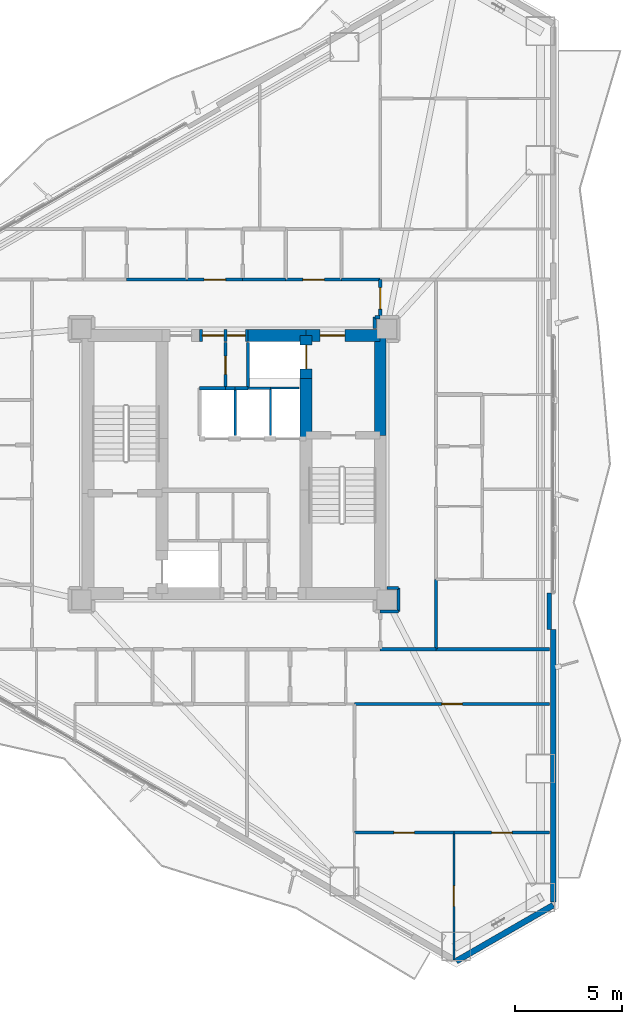
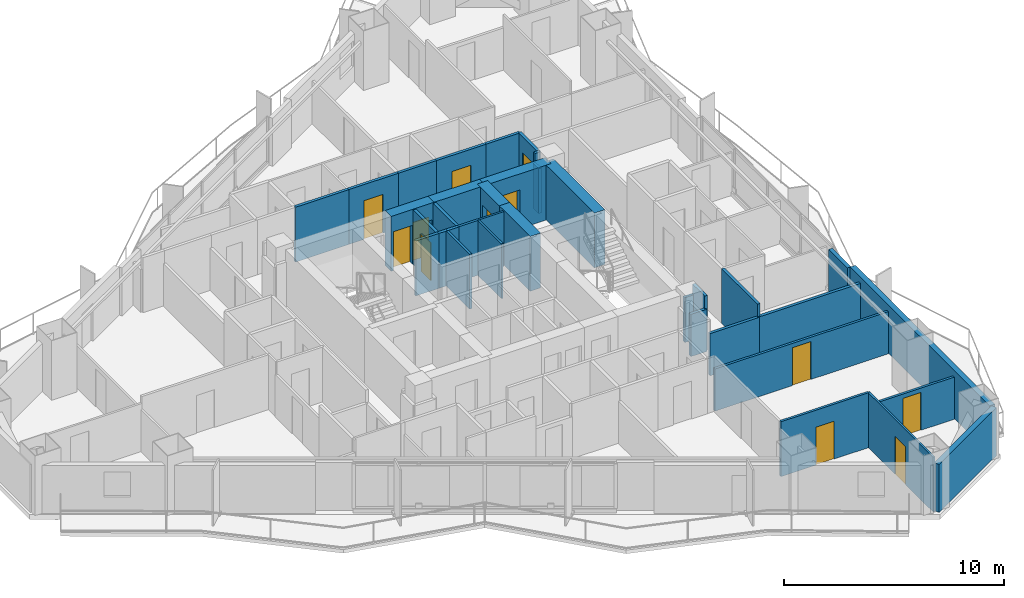
# One storey, part 15 of 19: 36 walls, 12 doors, 12 openings.
"""IFC4 building model written with IfcOpenShell, lengths in metres."""

from ifc_helpers import new_model, si_unit, direction, frame, frame_2d, origin, place, context, subcontext, project, spatial, rectangle, extrude, material, layer, layer_set, type_object, element, fill, save


model = new_model("IFC4")

# Units and contexts
model_context = context("Model", 3, precision=1e-05, world=origin(), true_north=direction((0.0, 1.0)))
body_context = subcontext(model_context, "Body", "Model", "MODEL_VIEW")
ifc_project = project(units=[si_unit("LENGTHUNIT", "METRE"), si_unit("AREAUNIT", "SQUARE_METRE"), si_unit("VOLUMEUNIT", "CUBIC_METRE"), si_unit("PLANEANGLEUNIT", "RADIAN"), si_unit("MASSUNIT", "GRAM", prefix="KILO")], contexts=[model_context])

# Site, building, storey
site_placement = place(None, origin())
site = spatial("IfcSite", under=ifc_project, at=site_placement, CompositionType="ELEMENT")
building_placement = place(site_placement, origin())
building = spatial("IfcBuilding", under=site, at=building_placement, Name="Mersakhor Tower and Convention Hall", CompositionType="ELEMENT")
storey_placement = place(building_placement, frame((0.0, 0.0, 29.10009765625)))
storey = spatial("IfcBuildingStorey", under=building, at=storey_placement, Name="L07", CompositionType="ELEMENT", Elevation=29.10009765625)

# Walls
ifc_material_1 = material(Name="Precast concrete C45/55", Category="concrete")
ifc_layer_1 = layer(ifc_material_1, 0.27490234375)
ifc_layer_set_1 = layer_set([ifc_layer_1], Name="Precast concrete C45/55")
wall_type_1 = type_object("IfcWallType", Name="WL-EXT-275", PredefinedType="SOLIDWALL", material=ifc_layer_set_1)
wall_1_placement = place(storey_placement, frame((43.85009765625, 6.240234375, 0.0), z_axis=(0.0, 0.0, 1.0), x_axis=(-0.866043601342, -0.499968479581, 0.0)))
element("IfcWall", 1, at=wall_1_placement, inside=storey, type_object=wall_type_1, Name="L07 Chamfer Braced Spandrel Wall C2", PredefinedType="SOLIDWALL", context=body_context, shape_type="SweptSolid", body=[
    extrude(rectangle(XDim=5.211181640625, YDim=0.27490234375, at=frame_2d((2.60546875, 0.0))), origin(), (0.0, 0.0, 1.0), 2.659912109375),
])
wall_2_placement = place(storey_placement, frame((43.85009765625, 19.0634765625, 0.0), z_axis=(0.0, 0.0, 1.0), x_axis=(0.0, -1.0, 0.0)))
element("IfcWall", 2, at=wall_2_placement, inside=storey, type_object=wall_type_1, Name="L07 Exterior Facade Wall F2-B3", PredefinedType="SOLIDWALL", context=body_context, shape_type="SweptSolid", body=[
    extrude(rectangle(XDim=12.673095703125, YDim=0.27490234375, at=frame_2d((6.33642578125, 0.0))), origin(), (0.0, 0.0, 1.0), 2.659912109375),
])
ifc_material_2 = material(Name="Precast concrete C40/50", Category="concrete")
ifc_layer_2 = layer(ifc_material_2, 0.199951171875)
ifc_layer_set_2 = layer_set([ifc_layer_2], Name="Precast concrete C40/50")
wall_type_2 = type_object("IfcWallType", Name="WL-PAR-200", PredefinedType="PARAPET", material=ifc_layer_set_2)
wall_3_placement = place(storey_placement, frame((43.669921875, 20.763427734375, 0.0), z_axis=(0.0, 0.0, 1.0), x_axis=(0.0, -1.0, 0.0)))
element("IfcWall", 3, at=wall_3_placement, inside=storey, type_object=wall_type_2, Name="L07 Column Pier Cladding Wall F2-C2", PredefinedType="PARAPET", context=body_context, shape_type="SweptSolid", body=[
    extrude(rectangle(XDim=1.699951171875, YDim=0.199951171875, at=frame_2d((0.85009765625, 0.0))), origin(), (0.0, 0.0, 1.0), 2.659912109375),
])
ifc_material_3 = material(Name="Lightweight gypsum partition", Category="other")
ifc_layer_3 = layer(ifc_material_3, 0.10009765625)
ifc_layer_set_3 = layer_set([ifc_layer_3], Name="Lightweight gypsum partition")
wall_type_3 = type_object("IfcWallType", Name="WL-PRT-100", PredefinedType="PARTITIONING", material=ifc_layer_set_3)
wall_4_placement = place(storey_placement, frame((32.02490234375, 30.300048828125, 0.0), z_axis=(0.0, 0.0, 1.0), x_axis=(-1.0, 0.0, 0.0)))
element("IfcWall", 4, at=wall_4_placement, inside=storey, type_object=wall_type_3, Name="L07 Interior Partition Wall P-004", PredefinedType="PARTITIONING", context=body_context, shape_type="SweptSolid", body=[
    extrude(rectangle(XDim=1.324951171875, YDim=0.10009765625, at=frame_2d((0.66259765625, 0.0))), origin(), (0.0, 0.0, 1.0), 3.039794921875),
])
wall_5_placement = place(storey_placement, frame((30.699951171875, 30.300048828125, 0.0), z_axis=(0.0, 0.0, 1.0), x_axis=(0.0, -1.0, 0.0)))
element("IfcWall", 5, at=wall_5_placement, inside=storey, type_object=wall_type_3, Name="L07 Interior Partition Wall P-018", PredefinedType="PARTITIONING", context=body_context, shape_type="SweptSolid", body=[
    extrude(rectangle(XDim=2.199951171875, YDim=0.10009765625, at=frame_2d((1.10009765625, 0.0))), origin(), (0.0, 0.0, 1.0), 3.039794921875),
])

# Wall, opening, door
wall_6_placement = place(storey_placement, frame((39.22998046875, 9.6201171875, 0.0), z_axis=(0.0, 0.0, 1.0), x_axis=(0.0, -1.0, 0.0)))
wall_6 = element("IfcWall", 6, at=wall_6_placement, inside=storey, type_object=wall_type_3, Name="L07 Interior Partition Wall P-136", PredefinedType="PARTITIONING", context=body_context, shape_type="SweptSolid", body=[
    extrude(rectangle(XDim=5.924072265625, YDim=0.10009765625, at=frame_2d((2.9619140625, 0.0))), origin(), (0.0, 0.0, 1.0), 3.039794921875),
])
opening_1_placement = place(wall_6_placement, frame((2.487060546875, 0.0, 0.0)))
opening_1 = element("IfcOpeningElement", 7, at=opening_1_placement, cuts=wall_6, Name="Opening RD-01", PredefinedType="OPENING", context=body_context, shape_type="SweptSolid", body=[
    extrude(rectangle(XDim=0.949951171875, YDim=2.10009765625, at=frame_2d((0.47509765625, 1.050048828125))), frame((0.0, 0.06005859375, 0.0), z_axis=(0.0, -1.0, 0.0), x_axis=(1.0, 0.0, 0.0)), (0.0, 0.0, 1.0), 0.1201171875),
])
ifc_material_4 = material(Name="Solid-core hardwood leaf in painted steel frame", Category="steel")
door_type_1 = type_object("IfcDoorType", Name="DR-INT-RM-095x210", OperationType="NOTDEFINED", PredefinedType="DOOR", material=ifc_material_4)
door_1_placement = place(opening_1_placement, origin())
door_1 = element("IfcDoor", 8, at=door_1_placement, inside=storey, type_object=door_type_1, Name="L07 L07 Flat S3 Bedroom 1 to L07 Flat S3 Study Room Door", OperationType="SINGLE_SWING_LEFT", OverallHeight=2.10009765625, OverallWidth=0.949951171875, PredefinedType="DOOR", context=body_context, shape_type="SweptSolid", body=[
    extrude(rectangle(XDim=0.949951171875, YDim=2.10009765625, at=frame_2d((0.47509765625, 1.050048828125))), frame((0.0, 0.02490234375, 0.0), z_axis=(0.0, -1.0, 0.0), x_axis=(1.0, 0.0, 0.0)), (0.0, 0.0, 1.0), 0.050048828125),
])
fill(opening_1, door_1)

# Walls
ifc_material_5 = material(Name="Gypsum board acoustic partition", Category="other")
ifc_layer_4 = layer(ifc_material_5, 0.125)
ifc_layer_set_4 = layer_set([ifc_layer_4], Name="Gypsum board acoustic partition")
wall_type_4 = type_object("IfcWallType", Name="WL-PRT-125", PredefinedType="PARTITIONING", material=ifc_layer_set_4)
wall_7_placement = place(storey_placement, frame((30.699951171875, 30.300048828125, 0.0), z_axis=(0.0, 0.0, 1.0), x_axis=(-1.0, 0.0, 0.0)))
element("IfcWall", 9, at=wall_7_placement, inside=storey, type_object=wall_type_4, Name="L07 Interior Partition Wall P-005", PredefinedType="PARTITIONING", context=body_context, shape_type="SweptSolid", body=[
    extrude(rectangle(XDim=1.050048828125, YDim=0.125, at=frame_2d((0.52490234375, 0.0))), origin(), (0.0, 0.0, 1.0), 3.039794921875),
])
wall_8_placement = place(storey_placement, frame((29.050048828125, 30.300048828125, 0.0), z_axis=(0.0, 0.0, 1.0), x_axis=(0.0, -1.0, 0.0)))
element("IfcWall", 10, at=wall_8_placement, inside=storey, type_object=wall_type_4, Name="L07 Interior Partition Wall P-015", PredefinedType="PARTITIONING", context=body_context, shape_type="SweptSolid", body=[
    extrude(rectangle(XDim=2.199951171875, YDim=0.125, at=frame_2d((1.10009765625, 0.0))), origin(), (0.0, 0.0, 1.0), 3.039794921875),
])

# Wall, opening, door
wall_9_placement = place(storey_placement, frame((43.6884765625, 15.60009765625, 0.0), z_axis=(0.0, 0.0, 1.0), x_axis=(-1.0, 0.0, 0.0)))
wall_9 = element("IfcWall", 11, at=wall_9_placement, inside=storey, type_object=wall_type_4, Name="L07 Interior Partition Wall P-095", PredefinedType="PARTITIONING", context=body_context, shape_type="SweptSolid", body=[
    extrude(rectangle(XDim=9.08837890625, YDim=0.125, at=frame_2d((4.544189453125, 0.0))), origin(), (0.0, 0.0, 1.0), 2.33740234375),
])
opening_2_placement = place(wall_9_placement, frame((4.069091796875, 0.0, 0.0)))
opening_2 = element("IfcOpeningElement", 12, at=opening_2_placement, cuts=wall_9, Name="Opening RD-01", PredefinedType="OPENING", context=body_context, shape_type="SweptSolid", body=[
    extrude(rectangle(XDim=0.949951171875, YDim=2.10009765625, at=frame_2d((0.47509765625, 1.050048828125))), frame((0.0, 0.072509765625, 0.0), z_axis=(0.0, -1.0, 0.0), x_axis=(1.0, 0.0, 0.0)), (0.0, 0.0, 1.0), 0.14501953125),
])
door_2_placement = place(opening_2_placement, origin())
door_2 = element("IfcDoor", 13, at=door_2_placement, inside=storey, type_object=door_type_1, Name="L07 L07 Flat S3 Kitchen to L07 Flat S3 Dining Room Door", OperationType="SINGLE_SWING_LEFT", OverallHeight=2.10009765625, OverallWidth=0.949951171875, PredefinedType="DOOR", context=body_context, shape_type="SweptSolid", body=[
    extrude(rectangle(XDim=0.949951171875, YDim=2.10009765625, at=frame_2d((0.47509765625, 1.050048828125))), frame((0.0, 0.02490234375, 0.0), z_axis=(0.0, -1.0, 0.0), x_axis=(1.0, 0.0, 0.0)), (0.0, 0.0, 1.0), 0.050048828125),
])
fill(opening_2, door_2)

wall_10_placement = place(storey_placement, frame((34.60009765625, 9.6201171875, 0.0), z_axis=(0.0, 0.0, 1.0), x_axis=(1.0, 0.0, 0.0)))
wall_10 = element("IfcWall", 14, at=wall_10_placement, inside=storey, type_object=wall_type_4, Name="L07 Interior Partition Wall P-135", PredefinedType="PARTITIONING", context=body_context, shape_type="SweptSolid", body=[
    extrude(rectangle(XDim=4.6298828125, YDim=0.125, at=frame_2d((2.31494140625, 0.0))), origin(), (0.0, 0.0, 1.0), 3.039794921875),
])
opening_3_placement = place(wall_10_placement, frame((1.840087890625, 0.0, 0.0)))
opening_3 = element("IfcOpeningElement", 15, at=opening_3_placement, cuts=wall_10, Name="Opening RD-01", PredefinedType="OPENING", context=body_context, shape_type="SweptSolid", body=[
    extrude(rectangle(XDim=0.949951171875, YDim=2.10009765625, at=frame_2d((0.47509765625, 1.050048828125))), frame((0.0, 0.072509765625, 0.0), z_axis=(0.0, -1.0, 0.0), x_axis=(1.0, 0.0, 0.0)), (0.0, 0.0, 1.0), 0.14501953125),
])
door_3_placement = place(opening_3_placement, origin())
door_3 = element("IfcDoor", 16, at=door_3_placement, inside=storey, type_object=door_type_1, Name="L07 L07 Flat S3 Bedroom 1 to L07 Flat S3 Dining Room Door", OperationType="SINGLE_SWING_RIGHT", OverallHeight=2.10009765625, OverallWidth=0.949951171875, PredefinedType="DOOR", context=body_context, shape_type="SweptSolid", body=[
    extrude(rectangle(XDim=0.949951171875, YDim=2.10009765625, at=frame_2d((0.47509765625, 1.050048828125))), frame((0.0, 0.02490234375, 0.0), z_axis=(0.0, -1.0, 0.0), x_axis=(1.0, 0.0, 0.0)), (0.0, 0.0, 1.0), 0.050048828125),
])
fill(opening_3, door_3)

wall_11_placement = place(storey_placement, frame((39.22998046875, 9.6201171875, 0.0), z_axis=(0.0, 0.0, 1.0), x_axis=(1.0, 0.0, 0.0)))
wall_11 = element("IfcWall", 17, at=wall_11_placement, inside=storey, type_object=wall_type_4, Name="L07 Interior Partition Wall P-137", PredefinedType="PARTITIONING", context=body_context, shape_type="SweptSolid", body=[
    extrude(rectangle(XDim=4.45849609375, YDim=0.125, at=frame_2d((2.229248046875, 0.0))), origin(), (0.0, 0.0, 1.0), 2.33740234375),
])
opening_4_placement = place(wall_11_placement, frame((1.75439453125, 0.0, 0.0)))
opening_4 = element("IfcOpeningElement", 18, at=opening_4_placement, cuts=wall_11, Name="Opening RD-01", PredefinedType="OPENING", context=body_context, shape_type="SweptSolid", body=[
    extrude(rectangle(XDim=0.949951171875, YDim=2.10009765625, at=frame_2d((0.47509765625, 1.050048828125))), frame((0.0, 0.072509765625, 0.0), z_axis=(0.0, -1.0, 0.0), x_axis=(1.0, 0.0, 0.0)), (0.0, 0.0, 1.0), 0.14501953125),
])
door_4_placement = place(opening_4_placement, origin())
door_4 = element("IfcDoor", 19, at=door_4_placement, inside=storey, type_object=door_type_1, Name="L07 L07 Flat S3 Study Room to L07 Flat S3 Dining Room Door", OperationType="SINGLE_SWING_LEFT", OverallHeight=2.10009765625, OverallWidth=0.949951171875, PredefinedType="DOOR", context=body_context, shape_type="SweptSolid", body=[
    extrude(rectangle(XDim=0.949951171875, YDim=2.10009765625, at=frame_2d((0.47509765625, 1.050048828125))), frame((0.0, 0.02490234375, 0.0), z_axis=(0.0, -1.0, 0.0), x_axis=(1.0, 0.0, 0.0)), (0.0, 0.0, 1.0), 0.050048828125),
])
fill(opening_4, door_4)

# Walls
ifc_material_6 = material(Name="Fire-rated gypsum board stud partition", Category="other")
ifc_layer_5 = layer(ifc_material_6, 0.14990234375)
ifc_layer_set_5 = layer_set([ifc_layer_5], Name="Fire-rated gypsum board stud partition")
wall_type_5 = type_object("IfcWallType", Name="WL-PRT-150", PredefinedType="PARTITIONING", material=ifc_layer_set_5)
wall_12_placement = place(storey_placement, frame((29.64990234375, 30.300048828125, 0.0), z_axis=(0.0, 0.0, 1.0), x_axis=(0.0, 1.0, 0.0)))
element("IfcWall", 20, at=wall_12_placement, inside=storey, type_object=wall_type_5, Name="L07 Interior Partition Wall P-006", PredefinedType="PARTITIONING", context=body_context, shape_type="SweptSolid", body=[
    extrude(rectangle(XDim=2.125, YDim=0.14990234375, at=frame_2d((1.0625, 0.0))), origin(), (0.0, 0.0, 1.0), 3.039794921875),
])
wall_13_placement = place(storey_placement, frame((27.39990234375, 30.300048828125, 0.0), z_axis=(0.0, 0.0, 1.0), x_axis=(1.0, 0.0, 0.0)))
element("IfcWall", 21, at=wall_13_placement, inside=storey, type_object=wall_type_5, Name="L07 Interior Partition Wall P-013", PredefinedType="PARTITIONING", context=body_context, shape_type="SweptSolid", body=[
    extrude(rectangle(XDim=1.2001953125, YDim=0.14990234375, at=frame_2d((0.60009765625, 0.0))), origin(), (0.0, 0.0, 1.0), 3.039794921875),
])
wall_14_placement = place(storey_placement, frame((28.60009765625, 30.300048828125, 0.0), z_axis=(0.0, 0.0, 1.0), x_axis=(1.0, 0.0, 0.0)))
element("IfcWall", 22, at=wall_14_placement, inside=storey, type_object=wall_type_5, Name="L07 Interior Partition Wall P-014", PredefinedType="PARTITIONING", context=body_context, shape_type="SweptSolid", body=[
    extrude(rectangle(XDim=0.449951171875, YDim=0.14990234375, at=frame_2d((0.22509765625, 0.0))), origin(), (0.0, 0.0, 1.0), 3.039794921875),
])
wall_15_placement = place(storey_placement, frame((29.050048828125, 30.300048828125, 0.0), z_axis=(0.0, 0.0, 1.0), x_axis=(1.0, 0.0, 0.0)))
element("IfcWall", 23, at=wall_15_placement, inside=storey, type_object=wall_type_5, Name="L07 Interior Partition Wall P-017", PredefinedType="PARTITIONING", context=body_context, shape_type="SweptSolid", body=[
    extrude(rectangle(XDim=0.599853515625, YDim=0.14990234375, at=frame_2d((0.2998046875, 0.0))), origin(), (0.0, 0.0, 1.0), 3.039794921875),
])

# Wall, opening, door
wall_16_placement = place(storey_placement, frame((28.60009765625, 32.425048828125, 0.0), z_axis=(0.0, 0.0, 1.0), x_axis=(0.0, -1.0, 0.0)))
wall_16 = element("IfcWall", 24, at=wall_16_placement, inside=storey, type_object=wall_type_5, Name="L07 Interior Partition Wall P-020", PredefinedType="PARTITIONING", context=body_context, shape_type="SweptSolid", body=[
    extrude(rectangle(XDim=2.125, YDim=0.14990234375, at=frame_2d((1.0625, 0.0))), origin(), (0.0, 0.0, 1.0), 3.039794921875),
])
opening_5_placement = place(wall_16_placement, frame((0.637451171875, 0.0, 0.0)))
opening_5 = element("IfcOpeningElement", 25, at=opening_5_placement, cuts=wall_16, Name="Opening SVD-01", PredefinedType="OPENING", context=body_context, shape_type="SweptSolid", body=[
    extrude(rectangle(XDim=0.85009765625, YDim=2.10009765625, at=frame_2d((0.425048828125, 1.050048828125))), frame((0.0, 0.0849609375, 0.0), z_axis=(0.0, -1.0, 0.0), x_axis=(1.0, 0.0, 0.0)), (0.0, 0.0, 1.0), 0.169921875),
])
ifc_material_7 = material(Name="Fire-rated hardwood leaf and painted steel frame", Category="steel")
door_type_2 = type_object("IfcDoorType", Name="DR-INT-SVC-085x210", OperationType="NOTDEFINED", PredefinedType="DOOR", material=ifc_material_7)
door_5_placement = place(opening_5_placement, origin())
door_5 = element("IfcDoor", 26, at=door_5_placement, inside=storey, type_object=door_type_2, Name="L07 Central Passenger Lift Lobby to Cleaner Store Room Door", OperationType="SINGLE_SWING_LEFT", OverallHeight=2.10009765625, OverallWidth=0.85009765625, PredefinedType="DOOR", context=body_context, shape_type="SweptSolid", body=[
    extrude(rectangle(XDim=0.85009765625, YDim=2.10009765625, at=frame_2d((0.425048828125, 1.050048828125))), frame((0.0, 0.02490234375, 0.0), z_axis=(0.0, -1.0, 0.0), x_axis=(1.0, 0.0, 0.0)), (0.0, 0.0, 1.0), 0.050048828125),
])
fill(opening_5, door_5)

# Wall
wall_17_placement = place(storey_placement, frame((24.0, 35.35009765625, 0.0), z_axis=(0.0, 0.0, 1.0), x_axis=(1.0, 0.0, 0.0)))
element("IfcWall", 27, at=wall_17_placement, inside=storey, type_object=wall_type_5, Name="L07 Interior Partition Wall P-041", PredefinedType="PARTITIONING", context=body_context, shape_type="SweptSolid", body=[
    extrude(rectangle(XDim=2.800048828125, YDim=0.14990234375, at=frame_2d((1.39990234375, 0.0))), origin(), (0.0, 0.0, 1.0), 3.039794921875),
])

# Wall, opening, door
wall_18_placement = place(storey_placement, frame((26.800048828125, 35.35009765625, 0.0), z_axis=(0.0, 0.0, 1.0), x_axis=(1.0, 0.0, 0.0)))
wall_18 = element("IfcWall", 28, at=wall_18_placement, inside=storey, type_object=wall_type_5, Name="L07 Interior Partition Wall P-042", PredefinedType="PARTITIONING", context=body_context, shape_type="SweptSolid", body=[
    extrude(rectangle(XDim=2.599853515625, YDim=0.14990234375, at=frame_2d((1.2998046875, 0.0))), origin(), (0.0, 0.0, 1.0), 3.039794921875),
])
opening_6_placement = place(wall_18_placement, frame((0.800048828125, 0.0, 0.0)))
opening_6 = element("IfcOpeningElement", 29, at=opening_6_placement, cuts=wall_18, Name="Opening FD-01", PredefinedType="OPENING", context=body_context, shape_type="SweptSolid", body=[
    extrude(rectangle(XDim=1.0, YDim=2.14990234375, at=frame_2d((0.5, 1.074951171875))), frame((0.0, 0.0849609375, 0.0), z_axis=(0.0, -1.0, 0.0), x_axis=(1.0, 0.0, 0.0)), (0.0, 0.0, 1.0), 0.169921875),
])
ifc_material_8 = material(Name="Fire-rated hardwood leaf and painted steel frame", Category="steel")
door_type_3 = type_object("IfcDoorType", Name="DR-INT-FLT-100x215", OperationType="NOTDEFINED", PredefinedType="DOOR", material=ifc_material_8)
door_6_placement = place(opening_6_placement, origin())
door_6 = element("IfcDoor", 30, at=door_6_placement, inside=storey, type_object=door_type_3, Name="L07 Apartment Entrance Door (Residential Ring Corridor to L07 Flat N1 Apartment Hall)", OperationType="SINGLE_SWING_RIGHT", OverallHeight=2.14990234375, OverallWidth=1.0, PredefinedType="DOOR", context=body_context, shape_type="SweptSolid", body=[
    extrude(rectangle(XDim=1.0, YDim=2.14990234375, at=frame_2d((0.5, 1.074951171875))), frame((0.0, 0.02490234375, 0.0), z_axis=(0.0, -1.0, 0.0), x_axis=(1.0, 0.0, 0.0)), (0.0, 0.0, 1.0), 0.050048828125),
])
fill(opening_6, door_6)

# Wall
wall_19_placement = place(storey_placement, frame((29.39990234375, 35.35009765625, 0.0), z_axis=(0.0, 0.0, 1.0), x_axis=(1.0, 0.0, 0.0)))
element("IfcWall", 31, at=wall_19_placement, inside=storey, type_object=wall_type_5, Name="L07 Interior Partition Wall P-043", PredefinedType="PARTITIONING", context=body_context, shape_type="SweptSolid", body=[
    extrude(rectangle(XDim=2.0, YDim=0.14990234375, at=frame_2d((1.0, 0.0))), origin(), (0.0, 0.0, 1.0), 3.039794921875),
])

# Wall, opening, door
wall_20_placement = place(storey_placement, frame((31.39990234375, 35.35009765625, 0.0), z_axis=(0.0, 0.0, 1.0), x_axis=(1.0, 0.0, 0.0)))
wall_20 = element("IfcWall", 32, at=wall_20_placement, inside=storey, type_object=wall_type_5, Name="L07 Interior Partition Wall P-044", PredefinedType="PARTITIONING", context=body_context, shape_type="SweptSolid", body=[
    extrude(rectangle(XDim=2.60009765625, YDim=0.14990234375, at=frame_2d((1.300048828125, 0.0))), origin(), (0.0, 0.0, 1.0), 3.039794921875),
])
opening_7_placement = place(wall_20_placement, frame((0.800048828125, 0.0, 0.0)))
opening_7 = element("IfcOpeningElement", 33, at=opening_7_placement, cuts=wall_20, Name="Opening FD-01", PredefinedType="OPENING", context=body_context, shape_type="SweptSolid", body=[
    extrude(rectangle(XDim=1.0, YDim=2.14990234375, at=frame_2d((0.5, 1.074951171875))), frame((0.0, 0.0849609375, 0.0), z_axis=(0.0, -1.0, 0.0), x_axis=(1.0, 0.0, 0.0)), (0.0, 0.0, 1.0), 0.169921875),
])
door_7_placement = place(opening_7_placement, origin())
door_7 = element("IfcDoor", 34, at=door_7_placement, inside=storey, type_object=door_type_3, Name="L07 Residential Ring Corridor to L07 North Wing Shared Laundry Room Door", OperationType="SINGLE_SWING_LEFT", OverallHeight=2.14990234375, OverallWidth=1.0, PredefinedType="DOOR", context=body_context, shape_type="SweptSolid", body=[
    extrude(rectangle(XDim=1.0, YDim=2.14990234375, at=frame_2d((0.5, 1.074951171875))), frame((0.0, 0.02490234375, 0.0), z_axis=(0.0, -1.0, 0.0), x_axis=(1.0, 0.0, 0.0)), (0.0, 0.0, 1.0), 0.050048828125),
])
fill(opening_7, door_7)

# Wall
wall_21_placement = place(storey_placement, frame((34.0, 35.35009765625, 0.0), z_axis=(0.0, 0.0, 1.0), x_axis=(1.0, 0.0, 0.0)))
element("IfcWall", 35, at=wall_21_placement, inside=storey, type_object=wall_type_5, Name="L07 Interior Partition Wall P-045", PredefinedType="PARTITIONING", context=body_context, shape_type="SweptSolid", body=[
    extrude(rectangle(XDim=1.800048828125, YDim=0.14990234375, at=frame_2d((0.89990234375, 0.0))), origin(), (0.0, 0.0, 1.0), 3.039794921875),
])

# Wall, opening, door
wall_22_placement = place(storey_placement, frame((35.800048828125, 35.35009765625, 0.0), z_axis=(0.0, 0.0, 1.0), x_axis=(0.0, -1.0, 0.0)))
wall_22 = element("IfcWall", 36, at=wall_22_placement, inside=storey, type_object=wall_type_5, Name="L07 Interior Partition Wall P-046", PredefinedType="PARTITIONING", context=body_context, shape_type="SweptSolid", body=[
    extrude(rectangle(XDim=1.75, YDim=0.14990234375, at=frame_2d((0.875, 0.0))), origin(), (0.0, 0.0, 1.0), 3.039794921875),
])
opening_8_placement = place(wall_22_placement, frame((0.375, 0.0, 0.0)))
opening_8 = element("IfcOpeningElement", 37, at=opening_8_placement, cuts=wall_22, Name="Opening FD-01", PredefinedType="OPENING", context=body_context, shape_type="SweptSolid", body=[
    extrude(rectangle(XDim=1.0, YDim=2.14990234375, at=frame_2d((0.5, 1.074951171875))), frame((0.0, 0.0849609375, 0.0), z_axis=(0.0, -1.0, 0.0), x_axis=(1.0, 0.0, 0.0)), (0.0, 0.0, 1.0), 0.169921875),
])
door_8_placement = place(opening_8_placement, origin())
door_8 = element("IfcDoor", 38, at=door_8_placement, inside=storey, type_object=door_type_3, Name="L07 Ring Corridor Fire Door", OperationType="SINGLE_SWING_LEFT", OverallHeight=2.14990234375, OverallWidth=1.0, PredefinedType="DOOR", context=body_context, shape_type="SweptSolid", body=[
    extrude(rectangle(XDim=1.0, YDim=2.14990234375, at=frame_2d((0.5, 1.074951171875))), frame((0.0, 0.02490234375, 0.0), z_axis=(0.0, -1.0, 0.0), x_axis=(1.0, 0.0, 0.0)), (0.0, 0.0, 1.0), 0.050048828125),
])
fill(opening_8, door_8)

# Walls
wall_23_placement = place(storey_placement, frame((35.800048828125, 33.60009765625, 0.0), z_axis=(0.0, 0.0, 1.0), x_axis=(-1.0, 0.0, 0.0)))
element("IfcWall", 39, at=wall_23_placement, inside=storey, type_object=wall_type_5, Name="L07 Interior Partition Wall P-047", PredefinedType="PARTITIONING", context=body_context, shape_type="SweptSolid", body=[
    extrude(rectangle(XDim=0.25, YDim=0.14990234375, at=frame_2d((0.125, 0.0))), origin(), (0.0, 0.0, 1.0), 3.039794921875),
])
wall_24_placement = place(storey_placement, frame((35.550048828125, 33.60009765625, 0.0), z_axis=(0.0, 0.0, 1.0), x_axis=(0.0, -1.0, 0.0)))
element("IfcWall", 40, at=wall_24_placement, inside=storey, type_object=wall_type_5, Name="L07 Interior Partition Wall P-048", PredefinedType="PARTITIONING", context=body_context, shape_type="SweptSolid", body=[
    extrude(rectangle(XDim=0.525146484375, YDim=0.14990234375, at=frame_2d((0.2626953125, 0.0))), origin(), (0.0, 0.0, 1.0), 2.48828125),
])
wall_25_placement = place(storey_placement, frame((36.64990234375, 21.0, 0.0), z_axis=(0.0, 0.0, 1.0), x_axis=(-1.0, 0.0, 0.0)))
element("IfcWall", 41, at=wall_25_placement, inside=storey, type_object=wall_type_5, Name="L07 Interior Partition Wall P-055", PredefinedType="PARTITIONING", context=body_context, shape_type="SweptSolid", body=[
    extrude(rectangle(XDim=0.52490234375, YDim=0.14990234375, at=frame_2d((0.262451171875, 0.0))), origin(), (0.0, 0.0, 1.0), 2.48828125),
])
wall_26_placement = place(storey_placement, frame((38.39990234375, 21.39990234375, 0.0), z_axis=(0.0, 0.0, 1.0), x_axis=(0.0, -1.0, 0.0)))
element("IfcWall", 42, at=wall_26_placement, inside=storey, type_object=wall_type_5, Name="L07 Interior Partition Wall P-064", PredefinedType="PARTITIONING", context=body_context, shape_type="SweptSolid", body=[
    extrude(rectangle(XDim=3.25, YDim=0.14990234375, at=frame_2d((1.625, 0.0))), origin(), (0.0, 0.0, 1.0), 3.039794921875),
])
wall_27_placement = place(storey_placement, frame((38.39990234375, 18.14990234375, 0.0), z_axis=(0.0, 0.0, 1.0), x_axis=(-1.0, 0.0, 0.0)))
element("IfcWall", 43, at=wall_27_placement, inside=storey, type_object=wall_type_5, Name="L07 Interior Partition Wall P-065", PredefinedType="PARTITIONING", context=body_context, shape_type="SweptSolid", body=[
    extrude(rectangle(XDim=2.599853515625, YDim=0.14990234375, at=frame_2d((1.2998046875, 0.0))), origin(), (0.0, 0.0, 1.0), 2.33740234375),
])
wall_28_placement = place(storey_placement, frame((35.800048828125, 19.89990234375, 0.0), z_axis=(0.0, 0.0, 1.0), x_axis=(1.0, 0.0, 0.0)))
element("IfcWall", 44, at=wall_28_placement, inside=storey, type_object=wall_type_5, Name="L07 Interior Partition Wall P-066", PredefinedType="PARTITIONING", context=body_context, shape_type="SweptSolid", body=[
    extrude(rectangle(XDim=0.849853515625, YDim=0.14990234375, at=frame_2d((0.4248046875, 0.0))), origin(), (0.0, 0.0, 1.0), 2.33740234375),
])
wall_29_placement = place(storey_placement, frame((36.64990234375, 19.89990234375, 0.0), z_axis=(0.0, 0.0, 1.0), x_axis=(0.0, 1.0, 0.0)))
element("IfcWall", 45, at=wall_29_placement, inside=storey, type_object=wall_type_5, Name="L07 Interior Partition Wall P-067", PredefinedType="PARTITIONING", context=body_context, shape_type="SweptSolid", body=[
    extrude(rectangle(XDim=1.10009765625, YDim=0.14990234375, at=frame_2d((0.550048828125, 0.0))), origin(), (0.0, 0.0, 1.0), 3.039794921875),
])
wall_30_placement = place(storey_placement, frame((38.39990234375, 18.14990234375, 0.0), z_axis=(0.0, 0.0, 1.0), x_axis=(1.0, 0.0, 0.0)))
element("IfcWall", 46, at=wall_30_placement, inside=storey, type_object=wall_type_5, Name="L07 Interior Partition Wall P-094", PredefinedType="PARTITIONING", context=body_context, shape_type="SweptSolid", body=[
    extrude(rectangle(XDim=5.28857421875, YDim=0.14990234375, at=frame_2d((2.644287109375, 0.0))), origin(), (0.0, 0.0, 1.0), 2.364990234375),
])

# Wall, openings, doors
ifc_material_9 = material(Name="Concrete C70/85", Category="concrete")
ifc_layer_6 = layer(ifc_material_9, 0.550048828125)
ifc_layer_set_6 = layer_set([ifc_layer_6], Name="Concrete C70/85")
wall_type_6 = type_object("IfcWallType", Name="WL-SHR-550", PredefinedType="SHEAR", material=ifc_layer_set_6)
wall_31_placement = place(storey_placement, frame((27.39990234375, 32.75, 0.0), z_axis=(0.0, 0.0, 1.0), x_axis=(1.0, 0.0, 0.0)))
wall_31 = element("IfcWall", 47, at=wall_31_placement, inside=storey, type_object=wall_type_6, Name="L07 Core Wall CW-N2B", PredefinedType="SHEAR", context=body_context, shape_type="SweptSolid", body=[
    extrude(rectangle(XDim=2.25, YDim=0.550048828125, at=frame_2d((1.125, 0.0))), origin(), (0.0, 0.0, 1.0), 3.039794921875),
])
opening_9_placement = place(wall_31_placement, frame((0.1201171875, 0.0, 0.0)))
opening_9 = element("IfcOpeningElement", 48, at=opening_9_placement, cuts=wall_31, Name="Opening FD-01", PredefinedType="OPENING", context=body_context, shape_type="SweptSolid", body=[
    extrude(rectangle(XDim=1.0, YDim=2.14990234375, at=frame_2d((0.5, 1.074951171875))), frame((0.0, 0.284912109375, 0.0), z_axis=(0.0, -1.0, 0.0), x_axis=(1.0, 0.0, 0.0)), (0.0, 0.0, 1.0), 0.570068359375),
])
opening_10_placement = place(wall_31_placement, frame((1.280029296875, 0.0, 0.0)))
opening_10 = element("IfcOpeningElement", 49, at=opening_10_placement, cuts=wall_31, Name="Opening SVD-01", PredefinedType="OPENING", context=body_context, shape_type="SweptSolid", body=[
    extrude(rectangle(XDim=0.85009765625, YDim=2.10009765625, at=frame_2d((0.425048828125, 1.050048828125))), frame((0.0, 0.284912109375, 0.0), z_axis=(0.0, -1.0, 0.0), x_axis=(1.0, 0.0, 0.0)), (0.0, 0.0, 1.0), 0.570068359375),
])
door_9_placement = place(opening_9_placement, origin())
door_9 = element("IfcDoor", 50, at=door_9_placement, inside=storey, type_object=door_type_3, Name="L07 Central Passenger Lift Lobby to Residential Ring Corridor Door", OperationType="SINGLE_SWING_LEFT", OverallHeight=2.14990234375, OverallWidth=1.0, PredefinedType="DOOR", context=body_context, shape_type="SweptSolid", body=[
    extrude(rectangle(XDim=1.0, YDim=2.14990234375, at=frame_2d((0.5, 1.074951171875))), frame((0.0, 0.02490234375, 0.0), z_axis=(0.0, -1.0, 0.0), x_axis=(1.0, 0.0, 0.0)), (0.0, 0.0, 1.0), 0.050048828125),
])
fill(opening_9, door_9)
door_10_placement = place(opening_10_placement, origin())
door_10 = element("IfcDoor", 51, at=door_10_placement, inside=storey, type_object=door_type_2, Name="L07 Residential Ring Corridor to Cleaner Store Room Door", OperationType="SINGLE_SWING_RIGHT", OverallHeight=2.10009765625, OverallWidth=0.85009765625, PredefinedType="DOOR", context=body_context, shape_type="SweptSolid", body=[
    extrude(rectangle(XDim=0.85009765625, YDim=2.10009765625, at=frame_2d((0.425048828125, 1.050048828125))), frame((0.0, 0.02490234375, 0.0), z_axis=(0.0, -1.0, 0.0), x_axis=(1.0, 0.0, 0.0)), (0.0, 0.0, 1.0), 0.050048828125),
])
fill(opening_10, door_10)

# Wall
wall_32_placement = place(storey_placement, frame((29.64990234375, 32.75, 0.0), z_axis=(0.0, 0.0, 1.0), x_axis=(1.0, 0.0, 0.0)))
element("IfcWall", 52, at=wall_32_placement, inside=storey, type_object=wall_type_6, Name="L07 Core Wall CW-N3", PredefinedType="SHEAR", context=body_context, shape_type="SweptSolid", body=[
    extrude(rectangle(XDim=2.7001953125, YDim=0.550048828125, at=frame_2d((1.35009765625, 0.0))), origin(), (0.0, 0.0, 1.0), 3.039794921875),
])

# Wall, opening, door
wall_33_placement = place(storey_placement, frame((32.35009765625, 32.75, 0.0), z_axis=(0.0, 0.0, 1.0), x_axis=(1.0, 0.0, 0.0)))
wall_33 = element("IfcWall", 53, at=wall_33_placement, inside=storey, type_object=wall_type_6, Name="L07 Core Wall CW-N4", PredefinedType="SHEAR", context=body_context, shape_type="SweptSolid", body=[
    extrude(rectangle(XDim=3.449951171875, YDim=0.550048828125, at=frame_2d((1.72509765625, 0.0))), origin(), (0.0, 0.0, 1.0), 3.039794921875),
])
opening_11_placement = place(wall_33_placement, frame((0.64990234375, 0.0, 0.0)))
opening_11 = element("IfcOpeningElement", 54, at=opening_11_placement, cuts=wall_33, Name="Opening SD-01", PredefinedType="OPENING", context=body_context, shape_type="SweptSolid", body=[
    extrude(rectangle(XDim=1.14990234375, YDim=2.14990234375, at=frame_2d((0.574951171875, 1.074951171875))), frame((0.0, 0.284912109375, 0.0), z_axis=(0.0, -1.0, 0.0), x_axis=(1.0, 0.0, 0.0)), (0.0, 0.0, 1.0), 0.570068359375),
])
ifc_material_10 = material(Name="Fire-rated hardwood leaf and painted steel frame", Category="steel")
door_type_4 = type_object("IfcDoorType", Name="DR-INT-STAIR-115x215", OperationType="NOTDEFINED", PredefinedType="DOOR", material=ifc_material_10)
door_11_placement = place(opening_11_placement, origin())
door_11 = element("IfcDoor", 55, at=door_11_placement, inside=storey, type_object=door_type_4, Name="L07 Firefighting Lobby East Fire Door", OperationType="SINGLE_SWING_RIGHT", OverallHeight=2.14990234375, OverallWidth=1.14990234375, PredefinedType="DOOR", context=body_context, shape_type="SweptSolid", body=[
    extrude(rectangle(XDim=1.14990234375, YDim=2.14990234375, at=frame_2d((0.574951171875, 1.074951171875))), frame((0.0, 0.02490234375, 0.0), z_axis=(0.0, -1.0, 0.0), x_axis=(1.0, 0.0, 0.0)), (0.0, 0.0, 1.0), 0.050048828125),
])
fill(opening_11, door_11)

# Walls
wall_34_placement = place(storey_placement, frame((35.800048828125, 32.75, 0.0), z_axis=(0.0, 0.0, 1.0), x_axis=(0.0, -1.0, 0.0)))
element("IfcWall", 56, at=wall_34_placement, inside=storey, type_object=wall_type_6, Name="L07 Core Wall CW-E1", PredefinedType="SHEAR", context=body_context, shape_type="SweptSolid", body=[
    extrude(rectangle(XDim=4.64990234375, YDim=0.550048828125, at=frame_2d((2.324951171875, 0.0))), origin(), (0.0, 0.0, 1.0), 3.039794921875),
])
wall_35_placement = place(storey_placement, frame((32.35009765625, 27.949951171875, 0.0), z_axis=(0.0, 0.0, 1.0), x_axis=(0.0, 1.0, 0.0)))
element("IfcWall", 57, at=wall_35_placement, inside=storey, type_object=wall_type_6, Name="L07 Core Wall CS-E-MID", PredefinedType="SHEAR", context=body_context, shape_type="SweptSolid", body=[
    extrude(rectangle(XDim=2.800048828125, YDim=0.550048828125, at=frame_2d((1.39990234375, 0.0))), origin(), (0.0, 0.0, 1.0), 3.039794921875),
])

# Wall, opening, door
wall_36_placement = place(storey_placement, frame((32.35009765625, 30.75, 0.0), z_axis=(0.0, 0.0, 1.0), x_axis=(0.0, 1.0, 0.0)))
wall_36 = element("IfcWall", 58, at=wall_36_placement, inside=storey, type_object=wall_type_6, Name="L07 Core Wall CS-E-FFL", PredefinedType="SHEAR", context=body_context, shape_type="SweptSolid", body=[
    extrude(rectangle(XDim=2.0, YDim=0.550048828125, at=frame_2d((1.0, 0.0))), origin(), (0.0, 0.0, 1.0), 3.039794921875),
])
opening_12_placement = place(wall_36_placement, frame((0.449951171875, 0.0, 0.0)))
opening_12 = element("IfcOpeningElement", 59, at=opening_12_placement, cuts=wall_36, Name="Opening LD-FFL2", PredefinedType="OPENING", context=body_context, shape_type="SweptSolid", body=[
    extrude(rectangle(XDim=1.10009765625, YDim=2.14990234375, at=frame_2d((0.550048828125, 1.074951171875))), frame((0.0, 0.284912109375, 0.0), z_axis=(0.0, -1.0, 0.0), x_axis=(1.0, 0.0, 0.0)), (0.0, 0.0, 1.0), 0.570068359375),
])
ifc_material_11 = material(Name="Fire-rated brushed stainless steel sliding landing door", Category="steel")
door_type_5 = type_object("IfcDoorType", Name="DR-LIFT-SLD-110x215", OperationType="NOTDEFINED", PredefinedType="DOOR", material=ifc_material_11)
door_12_placement = place(opening_12_placement, origin())
door_12 = element("IfcDoor", 60, at=door_12_placement, inside=storey, type_object=door_type_5, Name="L07 Firefighting Lift Landing Door LD-FFL2", OperationType="SLIDING_TO_LEFT", OverallHeight=2.14990234375, OverallWidth=1.10009765625, PredefinedType="DOOR", context=body_context, shape_type="SweptSolid", body=[
    extrude(rectangle(XDim=1.10009765625, YDim=2.14990234375, at=frame_2d((0.550048828125, 1.074951171875))), frame((0.0, 0.02490234375, 0.0), z_axis=(0.0, -1.0, 0.0), x_axis=(1.0, 0.0, 0.0)), (0.0, 0.0, 1.0), 0.050048828125),
])
fill(opening_12, door_12)

save(model, "model.ifc")
